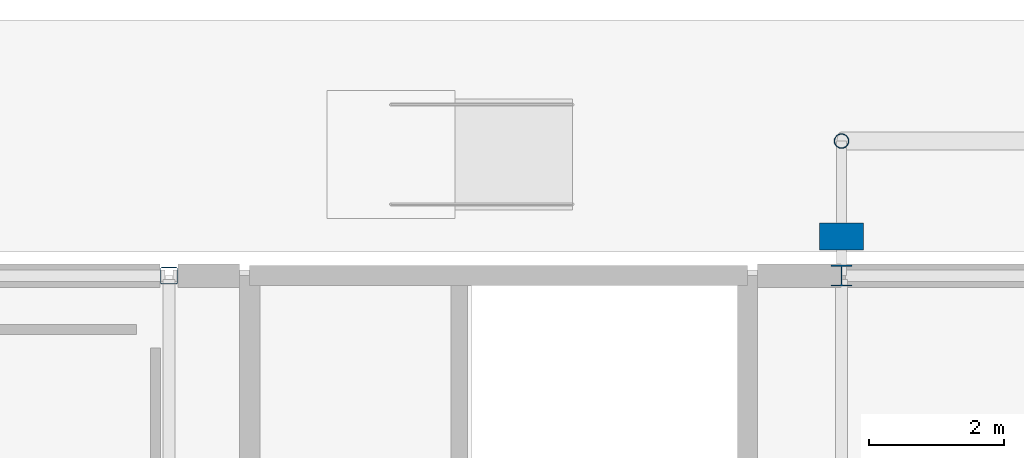
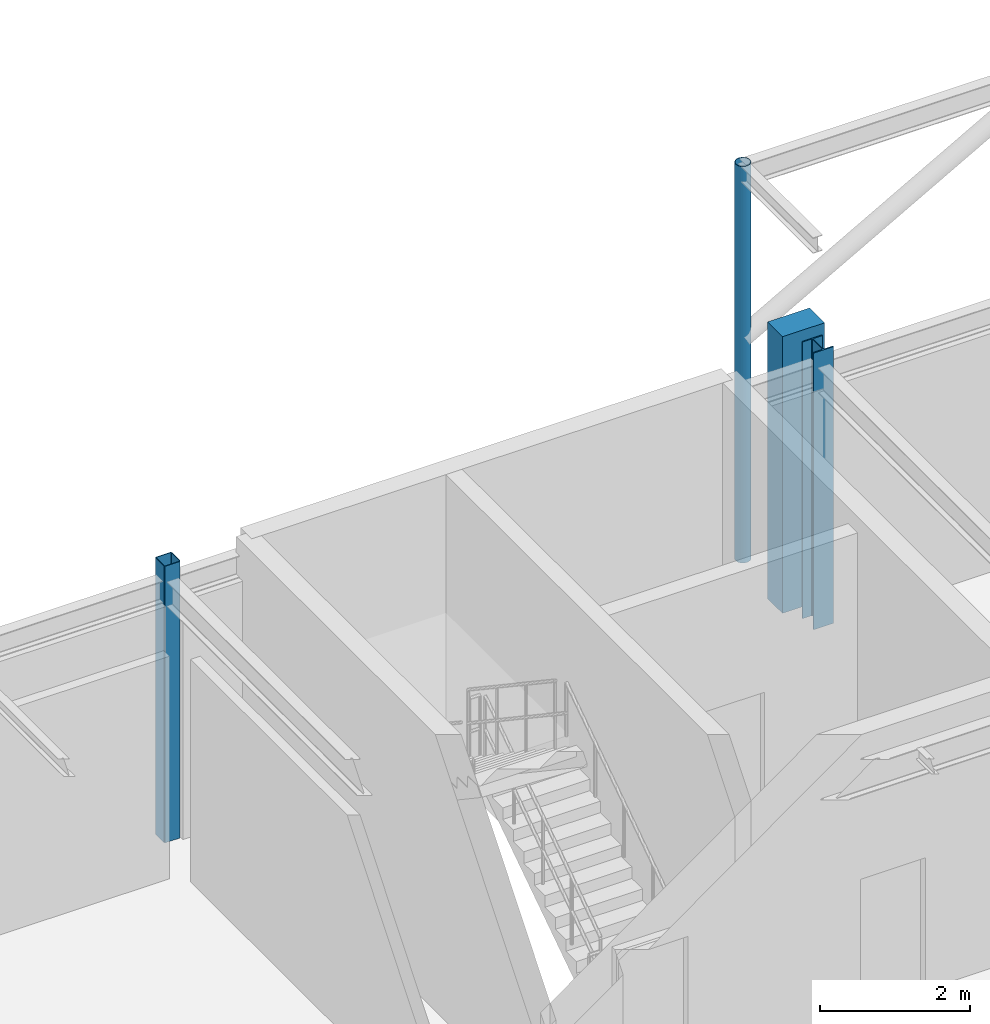
# One storey, part 43 of 119: 4 columns.
"""IFC4 building model written with IfcOpenShell, lengths in metres."""

from ifc_helpers import new_model, si_unit, derived_unit, direction, frame, origin, origin_2d_with_axis, place, context, subcontext, project, spatial, rectangle, hollow_rectangle, hollow_circle, i_section, extrude, material, material_profile, profile_set, type_object, element, save


model = new_model("IFC4")

# Units and contexts
model_context = context("Model", 3, precision=1e-05, world=origin(), true_north=direction((0.0, 1.0)))
body_context = subcontext(model_context, "Body", "Model", "MODEL_VIEW")
ifc_project = project(units=[si_unit("LENGTHUNIT", "METRE"), si_unit("AREAUNIT", "SQUARE_METRE"), si_unit("VOLUMEUNIT", "CUBIC_METRE"), si_unit("PLANEANGLEUNIT", "RADIAN"), si_unit("MASSUNIT", "GRAM", prefix="KILO"), derived_unit("THERMALTRANSMITTANCEUNIT", [(si_unit("POWERUNIT", "WATT"), 1), (si_unit("LENGTHUNIT", "METRE"), -2), (si_unit("THERMODYNAMICTEMPERATUREUNIT", "KELVIN"), -1)])], contexts=[model_context])

# Site, building, storey
site_placement = place(None, origin())
site = spatial("IfcSite", under=ifc_project, at=site_placement, CompositionType="ELEMENT")
building_placement = place(site_placement, origin())
building = spatial("IfcBuilding", under=site, at=building_placement, Name="Cinnabar Yard Market Hall", CompositionType="ELEMENT")
storey_placement = place(building_placement, origin())
storey = spatial("IfcBuildingStorey", under=building, at=storey_placement, Name="L00", CompositionType="ELEMENT", Elevation=0.0)

# Columns
ifc_material_1 = material(Name="Spotted-gum glulam-clad steel Grade 350 (350 MPa)", Category="steel")
ifc_material_profile_1 = material_profile(ifc_material_1, hollow_circle(Radius=0.109619140625, WallThickness=0.00830078125, at=origin_2d_with_axis()), Name="219.1x8.2CHS")
ifc_profile_set_1 = profile_set([ifc_material_profile_1], Name="Spotted-gum glulam-clad steel Grade 350 (350 MPa)")
column_type_1 = type_object("IfcColumnType", Name="COL-C05E", PredefinedType="COLUMN", material=ifc_profile_set_1)
column_1_placement = place(storey_placement, frame((106.0, 140.0, -0.199951171875), z_axis=(0.0, 0.0, 1.0), x_axis=(1.0, 0.0, 0.0)))
element("IfcColumn", 1, at=column_1_placement, inside=storey, type_object=column_type_1, Name="Passage Colonnade Post V5C-1", PredefinedType="COLUMN", context=body_context, shape_type="SweptSolid", body=[
    extrude(hollow_circle(Radius=0.109619140625, WallThickness=0.00830078125, at=origin_2d_with_axis()), origin(), (0.0, 0.0, 1.0), 6.449951171875),
])
ifc_material_2 = material(Name="Steel Grade 300 (300 MPa)", Category="steel")
ifc_material_profile_2 = material_profile(ifc_material_2, i_section(OverallWidth=0.307373046875, OverallDepth=0.314697265625, WebThickness=0.011962890625, FlangeThickness=0.018798828125, FilletRadius=0.0166015625, at=origin_2d_with_axis()), Name="310UC118")
ifc_profile_set_2 = profile_set([ifc_material_profile_2], Name="Steel Grade 300 (300 MPa)")
column_type_2 = type_object("IfcColumnType", Name="COL-C08E", PredefinedType="COLUMN", material=ifc_profile_set_2)
column_2_placement = place(storey_placement, frame((106.0, 138.0, 0.0), z_axis=(0.0, 0.0, 1.0), x_axis=(1.0, 0.0, 0.0)))
element("IfcColumn", 2, at=column_2_placement, inside=storey, type_object=column_type_2, Name="Wing Column V3-05-05 L00", PredefinedType="COLUMN", context=body_context, shape_type="SweptSolid", body=[
    extrude(i_section(OverallWidth=0.307373046875, OverallDepth=0.314697265625, WebThickness=0.011962890625, FlangeThickness=0.018798828125, FilletRadius=0.0166015625, at=origin_2d_with_axis()), origin(), (0.0, 0.0, 1.0), 4.5),
])
ifc_material_3 = material(Name="Cold-formed steel C350L0", Category="steel")
ifc_material_profile_3 = material_profile(ifc_material_3, hollow_rectangle(XDim=0.25, YDim=0.25, WallThickness=0.009033203125, InnerFilletRadius=0.009033203125, OuterFilletRadius=0.01806640625, at=origin_2d_with_axis()), Name="250x250x9.0SHS")
ifc_profile_set_3 = profile_set([ifc_material_profile_3], Name="Cold-formed steel C350L0")
column_type_3 = type_object("IfcColumnType", Name="COL-C20E", PredefinedType="COLUMN", material=ifc_profile_set_3)
column_3_placement = place(storey_placement, frame((96.0, 138.0, 0.0), z_axis=(0.0, 0.0, 1.0), x_axis=(1.0, 0.0, 0.0)))
element("IfcColumn", 3, at=column_3_placement, inside=storey, type_object=column_type_3, Name="Wing Column V3-04-05 L00", PredefinedType="COLUMN", context=body_context, shape_type="SweptSolid", body=[
    extrude(hollow_rectangle(XDim=0.25, YDim=0.25, WallThickness=0.009033203125, InnerFilletRadius=0.009033203125, OuterFilletRadius=0.01806640625, at=origin_2d_with_axis()), origin(), (0.0, 0.0, 1.0), 4.5),
])
ifc_material_4 = material(Name="Concrete 40 MPa", Category="concrete")
ifc_material_profile_4 = material_profile(ifc_material_4, rectangle(XDim=0.64990234375, YDim=0.39990234375, at=origin_2d_with_axis()), Name="RC-650x400")
ifc_profile_set_4 = profile_set([ifc_material_profile_4], Name="Concrete 40 MPa")
column_type_4 = type_object("IfcColumnType", Name="COL-PIL2E", PredefinedType="PILASTER", material=ifc_profile_set_4)
column_4_placement = place(storey_placement, frame((106.0, 138.580078125, 0.0), z_axis=(0.0, 0.0, 1.0), x_axis=(1.0, 0.0, 0.0)))
element("IfcColumn", 4, at=column_4_placement, inside=storey, type_object=column_type_4, Name="Engaged Pilaster 09 L00", PredefinedType="PILASTER", context=body_context, shape_type="SweptSolid", body=[
    extrude(rectangle(XDim=0.64990234375, YDim=0.39990234375, at=origin_2d_with_axis()), origin(), (0.0, 0.0, 1.0), 4.5),
])

save(model, "model.ifc")
